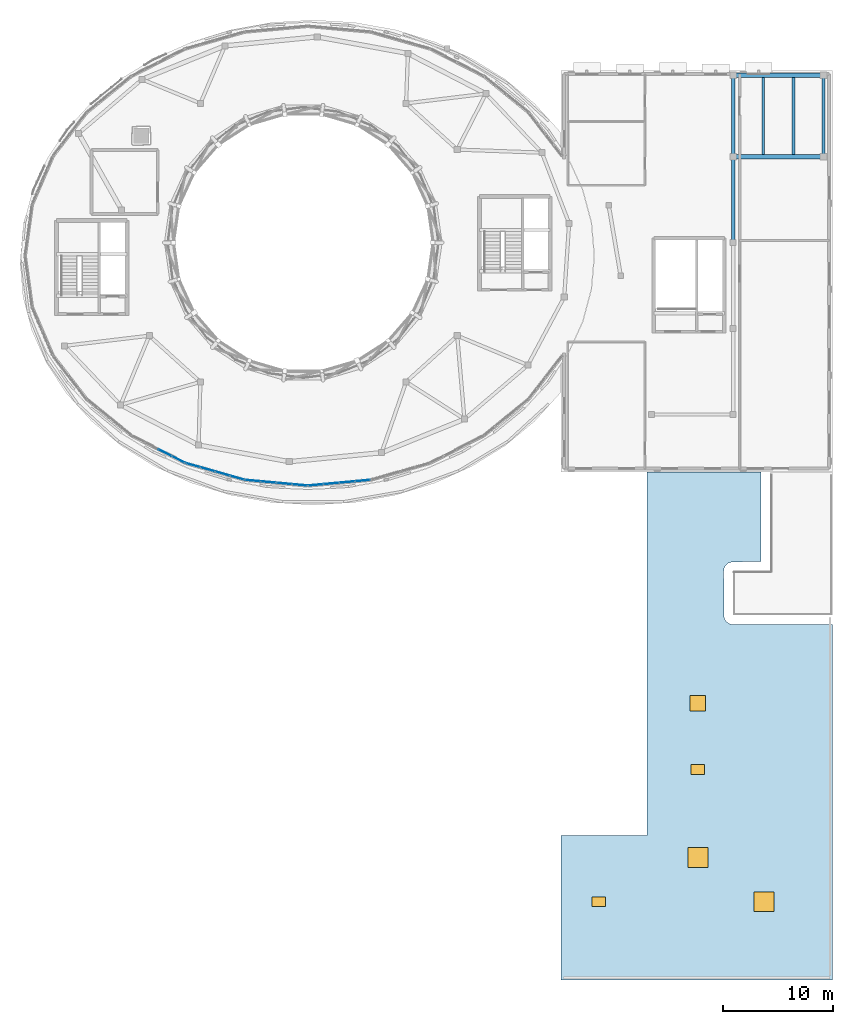
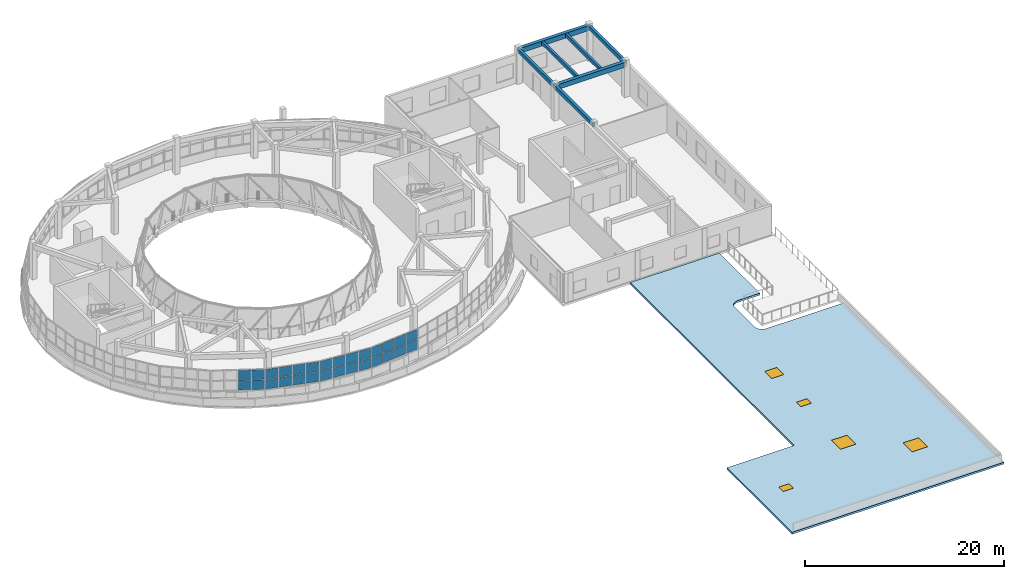
# One storey, part 28 of 46: 28 plates, 7 beams, 3 windows, 2 doors, 1 slab, 5 openings, 4 elements without a shape of their own.
"""IFC4 building model written with IfcOpenShell, lengths in metres."""

from ifc_helpers import new_model, si_unit, direction, frame, origin, origin_2d, place, context, subcontext, project, spatial, polyline, rectangle, outline, extrude, material, layer, layer_set, material_profile, profile_set, type_object, element, fill, aggregate, save


model = new_model("IFC4")

# Units and contexts
model_context = context("Model", 3, precision=1e-05, world=origin(), true_north=direction((0.0, 1.0)))
body_context = subcontext(model_context, "Body", "Model", "MODEL_VIEW")
ifc_project = project(units=[si_unit("LENGTHUNIT", "METRE"), si_unit("AREAUNIT", "SQUARE_METRE"), si_unit("VOLUMEUNIT", "CUBIC_METRE"), si_unit("PLANEANGLEUNIT", "RADIAN"), si_unit("MASSUNIT", "GRAM", prefix="KILO")], contexts=[model_context])

# Site, building, storey
site_placement = place(None, origin())
site = spatial("IfcSite", under=ifc_project, at=site_placement, CompositionType="ELEMENT")
building_placement = place(site_placement, origin())
building = spatial("IfcBuilding", under=site, at=building_placement, Name="Pelvatis Terrace Science Centre", CompositionType="ELEMENT")
storey_placement = place(building_placement, frame((0.0, 0.0, 19.800048828125)))
storey = spatial("IfcBuildingStorey", under=building, at=storey_placement, Name="L04", CompositionType="ELEMENT", Elevation=19.800048828125)

# Beams
ifc_material_1 = material(Name="Concrete C35/45", Category="concrete")
ifc_material_profile_1 = material_profile(ifc_material_1, rectangle(XDim=0.300048828125, YDim=0.449951171875, at=origin_2d()), Name="RC-BM 300x450")
ifc_profile_set_1 = profile_set([ifc_material_profile_1], Name="Concrete C35/45")
beam_type_1 = type_object("IfcBeamType", Name="BM-RC-300x450", PredefinedType="BEAM", material=ifc_profile_set_1)
beam_placement = place(storey_placement, frame((148.199951171875, 85.800048828125, 4.02490234375), z_axis=(0.0, 1.0, 0.0), x_axis=(-1.0, 0.0, 0.0)))
element("IfcBeam", 1, at=beam_placement, inside=storey, type_object=beam_type_1, Name="Beam BM-L04-3111", PredefinedType="BEAM", context=body_context, shape_type="SweptSolid", body=[
    extrude(rectangle(XDim=0.300048828125, YDim=0.449951171875, at=origin_2d()), origin(), (0.0, 0.0, 1.0), 7.800048828125),
])
for number, where, z_axis, x_axis, name in (
    (2, (148.199951171875, 93.60009765625, 4.02490234375), (0.0, 1.0, 0.0), (-1.0, 0.0, 0.0), "Beam BM-L04-3112"),
    (3, (156.39990234375, 93.60009765625, 4.02490234375), (0.0, 1.0, 0.0), (-1.0, 0.0, 0.0), "Beam BM-L04-3115"),
):
    element("IfcBeam", number, at=place(storey_placement, frame(where, z_axis=z_axis, x_axis=x_axis)), inside=storey, type_object=beam_type_1, Name=name, PredefinedType="BEAM", context=body_context, shape_type="SweptSolid", body=[
        extrude(rectangle(XDim=0.300048828125, YDim=0.449951171875, at=origin_2d()), origin(), (0.0, 0.0, 1.0), 7.39990234375),
    ])
ifc_material_2 = material(Name="Concrete C35/45", Category="concrete")
ifc_material_profile_2 = material_profile(ifc_material_2, rectangle(XDim=0.39990234375, YDim=0.60009765625, at=origin_2d()), Name="RC-BM 400x600")
ifc_profile_set_2 = profile_set([ifc_material_profile_2], Name="Concrete C35/45")
beam_type_2 = type_object("IfcBeamType", Name="BM-RC-400x600", PredefinedType="BEAM", material=ifc_profile_set_2)
for number, where, z_axis, x_axis, name in (
    (4, (148.199951171875, 93.60009765625, 3.949951171875), (1.0, 0.0, 0.0), (0.0, 1.0, 0.0), "Beam BM-L04-3113"),
    (5, (148.199951171875, 101.0, 3.949951171875), (1.0, 0.0, 0.0), (0.0, 1.0, 0.0), "Beam BM-L04-3114"),
):
    element("IfcBeam", number, at=place(storey_placement, frame(where, z_axis=z_axis, x_axis=x_axis)), inside=storey, type_object=beam_type_2, Name=name, PredefinedType="BEAM", context=body_context, shape_type="SweptSolid", body=[
        extrude(rectangle(XDim=0.39990234375, YDim=0.60009765625, at=origin_2d()), origin(), (0.0, 0.0, 1.0), 8.199951171875),
    ])
ifc_material_3 = material(Name="Concrete C35/45", Category="concrete")
ifc_material_profile_3 = material_profile(ifc_material_3, rectangle(XDim=0.260009765625, YDim=0.419921875, at=origin_2d()), Name="RC-JST 260x420")
ifc_profile_set_3 = profile_set([ifc_material_profile_3], Name="Concrete C35/45")
beam_type_3 = type_object("IfcBeamType", Name="JST-RC-260x420", PredefinedType="JOIST", material=ifc_profile_set_3)
for number, where, z_axis, x_axis, name in (
    (6, (150.933349609375, 93.800048828125, 4.0400390625), (0.0, 1.0, 0.0), (-1.0, 0.0, 0.0), "Secondary floor joist J-L04-2203"),
    (7, (153.666748046875, 93.800048828125, 4.0400390625), (0.0, 1.0, 0.0), (-1.0, 0.0, 0.0), "Secondary floor joist J-L04-2204"),
):
    element("IfcBeam", number, at=place(storey_placement, frame(where, z_axis=z_axis, x_axis=x_axis)), inside=storey, type_object=beam_type_3, Name=name, PredefinedType="JOIST", context=body_context, shape_type="SweptSolid", body=[
        extrude(rectangle(XDim=0.260009765625, YDim=0.419921875, at=origin_2d()), origin(), (0.0, 0.0, 1.0), 7.0),
    ])

# Curtain wall, plates
ifc_material_4 = material(Name="Bronze-anodised aluminium and laminated glass", Category="aluminium")
ifc_layer_1 = layer(ifc_material_4, 0.14990234375)
ifc_layer_set_1 = layer_set([ifc_layer_1], Name="Bronze-anodised aluminium and laminated glass")
curtain_wall_type = type_object("IfcCurtainWallType", Name="CW-PASSAGE-C", PredefinedType="NOTDEFINED", material=ifc_layer_set_1)
curtain_wall_1_placement = place(storey_placement, origin())
curtain_wall_1 = element("IfcCurtainWall", 8, at=curtain_wall_1_placement, inside=storey, type_object=curtain_wall_type, Name="Ribbon curtain wall CW-229 (L04)", PredefinedType="NOTDEFINED")
ifc_material_5 = material(Name="Low-e laminated solar-control double glazing", Category="glass")
ifc_layer_2 = layer(ifc_material_5, 0.0400390625)
ifc_layer_set_2 = layer_set([ifc_layer_2], Name="Low-e laminated solar-control double glazing")
plate_type = type_object("IfcPlateType", Name="CWP-SPN-40", PredefinedType="CURTAIN_PANEL", material=ifc_layer_set_2)
plate_1_placement = place(storey_placement, frame((96.647216796875, 66.746337890625, 1.074951171875), z_axis=(0.0, 0.0, 1.0), x_axis=(0.890563601587, -0.454858737992, 0.0)))
plate_1 = element("IfcPlate", 9, at=plate_1_placement, type_object=plate_type, Name="CW-229 panel 3.1", PredefinedType="CURTAIN_PANEL", context=body_context, shape_type="SweptSolid", body=[
    extrude(rectangle(XDim=1.310302734375, YDim=0.0400390625, at=origin_2d()), origin(), (0.0, 0.0, 1.0), 1.1923828125),
])
plate_2_placement = place(storey_placement, frame((96.647216796875, 66.746337890625, 2.322509765625), z_axis=(0.0, 0.0, 1.0), x_axis=(0.890563601587, -0.454858737992, 0.0)))
plate_2 = element("IfcPlate", 10, at=plate_2_placement, type_object=plate_type, Name="CW-229 panel 3.2", PredefinedType="CURTAIN_PANEL", context=body_context, shape_type="SweptSolid", body=[
    extrude(rectangle(XDim=1.310302734375, YDim=0.0400390625, at=origin_2d()), origin(), (0.0, 0.0, 1.0), 1.1923828125),
])
plate_3_placement = place(storey_placement, frame((97.850830078125, 66.131591796875, 1.074951171875), z_axis=(0.0, 0.0, 1.0), x_axis=(0.890563601587, -0.454858737992, 0.0)))
plate_3 = element("IfcPlate", 11, at=plate_3_placement, type_object=plate_type, Name="CW-229 panel 4.1", PredefinedType="CURTAIN_PANEL", context=body_context, shape_type="SweptSolid", body=[
    extrude(rectangle(XDim=1.28271484375, YDim=0.0400390625, at=origin_2d()), origin(), (0.0, 0.0, 1.0), 1.1923828125),
])
plate_4_placement = place(storey_placement, frame((97.850830078125, 66.131591796875, 2.322509765625), z_axis=(0.0, 0.0, 1.0), x_axis=(0.890563601587, -0.454858737992, 0.0)))
plate_4 = element("IfcPlate", 12, at=plate_4_placement, type_object=plate_type, Name="CW-229 panel 4.2", PredefinedType="CURTAIN_PANEL", context=body_context, shape_type="SweptSolid", body=[
    extrude(rectangle(XDim=1.28271484375, YDim=0.0400390625, at=origin_2d()), origin(), (0.0, 0.0, 1.0), 1.1923828125),
])
aggregate(curtain_wall_1, [plate_1, plate_2, plate_3, plate_4])

curtain_wall_2_placement = place(storey_placement, origin())
curtain_wall_2 = element("IfcCurtainWall", 13, at=curtain_wall_2_placement, inside=storey, type_object=curtain_wall_type, Name="Ribbon curtain wall CW-230 (L04)", PredefinedType="NOTDEFINED")
plate_5_placement = place(storey_placement, frame((99.161865234375, 65.618408203125, 1.074951171875), z_axis=(0.0, 0.0, 1.0), x_axis=(0.96184998325, -0.273577429116, 0.0)))
plate_5 = element("IfcPlate", 14, at=plate_5_placement, type_object=plate_type, Name="CW-230 panel 1.1", PredefinedType="CURTAIN_PANEL", context=body_context, shape_type="SweptSolid", body=[
    extrude(rectangle(XDim=1.32666015625, YDim=0.0400390625, at=origin_2d()), origin(), (0.0, 0.0, 1.0), 1.1923828125),
])
plate_6_placement = place(storey_placement, frame((99.161865234375, 65.618408203125, 2.322509765625), z_axis=(0.0, 0.0, 1.0), x_axis=(0.96184998325, -0.273577429116, 0.0)))
plate_6 = element("IfcPlate", 15, at=plate_6_placement, type_object=plate_type, Name="CW-230 panel 1.2", PredefinedType="CURTAIN_PANEL", context=body_context, shape_type="SweptSolid", body=[
    extrude(rectangle(XDim=1.32666015625, YDim=0.0400390625, at=origin_2d()), origin(), (0.0, 0.0, 1.0), 1.1923828125),
])
plate_7_placement = place(storey_placement, frame((100.50390625, 65.236572265625, 1.074951171875), z_axis=(0.0, 0.0, 1.0), x_axis=(0.96184998325, -0.273577429116, 0.0)))
plate_7 = element("IfcPlate", 16, at=plate_7_placement, type_object=plate_type, Name="CW-230 panel 2.1", PredefinedType="CURTAIN_PANEL", context=body_context, shape_type="SweptSolid", body=[
    extrude(rectangle(XDim=1.35400390625, YDim=0.0400390625, at=origin_2d()), origin(), (0.0, 0.0, 1.0), 1.1923828125),
])
plate_8_placement = place(storey_placement, frame((100.50390625, 65.236572265625, 2.322509765625), z_axis=(0.0, 0.0, 1.0), x_axis=(0.96184998325, -0.273577429116, 0.0)))
plate_8 = element("IfcPlate", 17, at=plate_8_placement, type_object=plate_type, Name="CW-230 panel 2.2", PredefinedType="CURTAIN_PANEL", context=body_context, shape_type="SweptSolid", body=[
    extrude(rectangle(XDim=1.35400390625, YDim=0.0400390625, at=origin_2d()), origin(), (0.0, 0.0, 1.0), 1.1923828125),
])
plate_9_placement = place(storey_placement, frame((101.859375, 64.85107421875, 1.074951171875), z_axis=(0.0, 0.0, 1.0), x_axis=(0.96184998325, -0.273577429116, 0.0)))
plate_9 = element("IfcPlate", 18, at=plate_9_placement, type_object=plate_type, Name="CW-230 panel 3.1", PredefinedType="CURTAIN_PANEL", context=body_context, shape_type="SweptSolid", body=[
    extrude(rectangle(XDim=1.35400390625, YDim=0.0400390625, at=origin_2d()), origin(), (0.0, 0.0, 1.0), 1.1923828125),
])
plate_10_placement = place(storey_placement, frame((101.859375, 64.85107421875, 2.322509765625), z_axis=(0.0, 0.0, 1.0), x_axis=(0.96184998325, -0.273577429116, 0.0)))
plate_10 = element("IfcPlate", 19, at=plate_10_placement, type_object=plate_type, Name="CW-230 panel 3.2", PredefinedType="CURTAIN_PANEL", context=body_context, shape_type="SweptSolid", body=[
    extrude(rectangle(XDim=1.35400390625, YDim=0.0400390625, at=origin_2d()), origin(), (0.0, 0.0, 1.0), 1.1923828125),
])
plate_11_placement = place(storey_placement, frame((103.201416015625, 64.46923828125, 1.074951171875), z_axis=(0.0, 0.0, 1.0), x_axis=(0.96184998325, -0.273577429116, 0.0)))
plate_11 = element("IfcPlate", 20, at=plate_11_placement, type_object=plate_type, Name="CW-230 panel 4.1", PredefinedType="CURTAIN_PANEL", context=body_context, shape_type="SweptSolid", body=[
    extrude(rectangle(XDim=1.32666015625, YDim=0.0400390625, at=origin_2d()), origin(), (0.0, 0.0, 1.0), 1.1923828125),
])
plate_12_placement = place(storey_placement, frame((103.201416015625, 64.46923828125, 2.322509765625), z_axis=(0.0, 0.0, 1.0), x_axis=(0.96184998325, -0.273577429116, 0.0)))
plate_12 = element("IfcPlate", 21, at=plate_12_placement, type_object=plate_type, Name="CW-230 panel 4.2", PredefinedType="CURTAIN_PANEL", context=body_context, shape_type="SweptSolid", body=[
    extrude(rectangle(XDim=1.32666015625, YDim=0.0400390625, at=origin_2d()), origin(), (0.0, 0.0, 1.0), 1.1923828125),
])
aggregate(curtain_wall_2, [plate_5, plate_6, plate_7, plate_8, plate_9, plate_10, plate_11, plate_12])

curtain_wall_3_placement = place(storey_placement, origin())
curtain_wall_3 = element("IfcCurtainWall", 22, at=curtain_wall_3_placement, inside=storey, type_object=curtain_wall_type, Name="Ribbon curtain wall CW-231 (L04)", PredefinedType="NOTDEFINED")
plate_13_placement = place(storey_placement, frame((104.619384765625, 64.206298828125, 1.074951171875), z_axis=(0.0, 0.0, 1.0), x_axis=(0.995831338588, -0.09121373299, 0.0)))
plate_13 = element("IfcPlate", 23, at=plate_13_placement, type_object=plate_type, Name="CW-231 panel 1.1", PredefinedType="CURTAIN_PANEL", context=body_context, shape_type="SweptSolid", body=[
    extrude(rectangle(XDim=1.350341796875, YDim=0.0400390625, at=origin_2d()), origin(), (0.0, 0.0, 1.0), 1.1923828125),
])
plate_14_placement = place(storey_placement, frame((104.619384765625, 64.206298828125, 2.322509765625), z_axis=(0.0, 0.0, 1.0), x_axis=(0.995831338588, -0.09121373299, 0.0)))
plate_14 = element("IfcPlate", 24, at=plate_14_placement, type_object=plate_type, Name="CW-231 panel 1.2", PredefinedType="CURTAIN_PANEL", context=body_context, shape_type="SweptSolid", body=[
    extrude(rectangle(XDim=1.350341796875, YDim=0.0400390625, at=origin_2d()), origin(), (0.0, 0.0, 1.0), 1.1923828125),
])
plate_15_placement = place(storey_placement, frame((106.03271484375, 64.07666015625, 1.074951171875), z_axis=(0.0, 0.0, 1.0), x_axis=(0.995831338588, -0.09121373299, 0.0)))
plate_15 = element("IfcPlate", 25, at=plate_15_placement, type_object=plate_type, Name="CW-231 panel 2.1", PredefinedType="CURTAIN_PANEL", context=body_context, shape_type="SweptSolid", body=[
    extrude(rectangle(XDim=1.3779296875, YDim=0.0400390625, at=origin_2d()), origin(), (0.0, 0.0, 1.0), 1.1923828125),
])
plate_16_placement = place(storey_placement, frame((106.03271484375, 64.07666015625, 2.322509765625), z_axis=(0.0, 0.0, 1.0), x_axis=(0.995831338588, -0.09121373299, 0.0)))
plate_16 = element("IfcPlate", 26, at=plate_16_placement, type_object=plate_type, Name="CW-231 panel 2.2", PredefinedType="CURTAIN_PANEL", context=body_context, shape_type="SweptSolid", body=[
    extrude(rectangle(XDim=1.3779296875, YDim=0.0400390625, at=origin_2d()), origin(), (0.0, 0.0, 1.0), 1.1923828125),
])
plate_17_placement = place(storey_placement, frame((107.459716796875, 63.946044921875, 1.074951171875), z_axis=(0.0, 0.0, 1.0), x_axis=(0.995831338588, -0.09121373299, 0.0)))
plate_17 = element("IfcPlate", 27, at=plate_17_placement, type_object=plate_type, Name="CW-231 panel 3.1", PredefinedType="CURTAIN_PANEL", context=body_context, shape_type="SweptSolid", body=[
    extrude(rectangle(XDim=1.3779296875, YDim=0.0400390625, at=origin_2d()), origin(), (0.0, 0.0, 1.0), 1.1923828125),
])
plate_18_placement = place(storey_placement, frame((107.459716796875, 63.946044921875, 2.322509765625), z_axis=(0.0, 0.0, 1.0), x_axis=(0.995831338588, -0.09121373299, 0.0)))
plate_18 = element("IfcPlate", 28, at=plate_18_placement, type_object=plate_type, Name="CW-231 panel 3.2", PredefinedType="CURTAIN_PANEL", context=body_context, shape_type="SweptSolid", body=[
    extrude(rectangle(XDim=1.3779296875, YDim=0.0400390625, at=origin_2d()), origin(), (0.0, 0.0, 1.0), 1.1923828125),
])
plate_19_placement = place(storey_placement, frame((108.872802734375, 63.816650390625, 1.074951171875), z_axis=(0.0, 0.0, 1.0), x_axis=(0.995831338588, -0.09121373299, 0.0)))
plate_19 = element("IfcPlate", 29, at=plate_19_placement, type_object=plate_type, Name="CW-231 panel 4.1", PredefinedType="CURTAIN_PANEL", context=body_context, shape_type="SweptSolid", body=[
    extrude(rectangle(XDim=1.350341796875, YDim=0.0400390625, at=origin_2d()), origin(), (0.0, 0.0, 1.0), 1.1923828125),
])
plate_20_placement = place(storey_placement, frame((108.872802734375, 63.816650390625, 2.322509765625), z_axis=(0.0, 0.0, 1.0), x_axis=(0.995831338588, -0.09121373299, 0.0)))
plate_20 = element("IfcPlate", 30, at=plate_20_placement, type_object=plate_type, Name="CW-231 panel 4.2", PredefinedType="CURTAIN_PANEL", context=body_context, shape_type="SweptSolid", body=[
    extrude(rectangle(XDim=1.350341796875, YDim=0.0400390625, at=origin_2d()), origin(), (0.0, 0.0, 1.0), 1.1923828125),
])
aggregate(curtain_wall_3, [plate_13, plate_14, plate_15, plate_16, plate_17, plate_18, plate_19, plate_20])

curtain_wall_4_placement = place(storey_placement, origin())
curtain_wall_4 = element("IfcCurtainWall", 31, at=curtain_wall_4_placement, inside=storey, type_object=curtain_wall_type, Name="Ribbon curtain wall CW-232 (L04)", PredefinedType="NOTDEFINED")
plate_21_placement = place(storey_placement, frame((110.3271484375, 63.816650390625, 1.074951171875), z_axis=(0.0, 0.0, 1.0), x_axis=(0.995831338588, 0.09121373299, 0.0)))
plate_21 = element("IfcPlate", 32, at=plate_21_placement, type_object=plate_type, Name="CW-232 panel 1.1", PredefinedType="CURTAIN_PANEL", context=body_context, shape_type="SweptSolid", body=[
    extrude(rectangle(XDim=1.350341796875, YDim=0.0400390625, at=origin_2d()), origin(), (0.0, 0.0, 1.0), 1.1923828125),
])
plate_22_placement = place(storey_placement, frame((110.3271484375, 63.816650390625, 2.322509765625), z_axis=(0.0, 0.0, 1.0), x_axis=(0.995831338588, 0.09121373299, 0.0)))
plate_22 = element("IfcPlate", 33, at=plate_22_placement, type_object=plate_type, Name="CW-232 panel 1.2", PredefinedType="CURTAIN_PANEL", context=body_context, shape_type="SweptSolid", body=[
    extrude(rectangle(XDim=1.350341796875, YDim=0.0400390625, at=origin_2d()), origin(), (0.0, 0.0, 1.0), 1.1923828125),
])
plate_23_placement = place(storey_placement, frame((111.740478515625, 63.946044921875, 1.074951171875), z_axis=(0.0, 0.0, 1.0), x_axis=(0.995831338588, 0.09121373299, 0.0)))
plate_23 = element("IfcPlate", 34, at=plate_23_placement, type_object=plate_type, Name="CW-232 panel 2.1", PredefinedType="CURTAIN_PANEL", context=body_context, shape_type="SweptSolid", body=[
    extrude(rectangle(XDim=1.3779296875, YDim=0.0400390625, at=origin_2d()), origin(), (0.0, 0.0, 1.0), 1.1923828125),
])
plate_24_placement = place(storey_placement, frame((111.740478515625, 63.946044921875, 2.322509765625), z_axis=(0.0, 0.0, 1.0), x_axis=(0.995831338588, 0.09121373299, 0.0)))
plate_24 = element("IfcPlate", 35, at=plate_24_placement, type_object=plate_type, Name="CW-232 panel 2.2", PredefinedType="CURTAIN_PANEL", context=body_context, shape_type="SweptSolid", body=[
    extrude(rectangle(XDim=1.3779296875, YDim=0.0400390625, at=origin_2d()), origin(), (0.0, 0.0, 1.0), 1.1923828125),
])
plate_25_placement = place(storey_placement, frame((113.167236328125, 64.07666015625, 1.074951171875), z_axis=(0.0, 0.0, 1.0), x_axis=(0.995831338588, 0.09121373299, 0.0)))
plate_25 = element("IfcPlate", 36, at=plate_25_placement, type_object=plate_type, Name="CW-232 panel 3.1", PredefinedType="CURTAIN_PANEL", context=body_context, shape_type="SweptSolid", body=[
    extrude(rectangle(XDim=1.3779296875, YDim=0.0400390625, at=origin_2d()), origin(), (0.0, 0.0, 1.0), 1.1923828125),
])
plate_26_placement = place(storey_placement, frame((113.167236328125, 64.07666015625, 2.322509765625), z_axis=(0.0, 0.0, 1.0), x_axis=(0.995831338588, 0.09121373299, 0.0)))
plate_26 = element("IfcPlate", 37, at=plate_26_placement, type_object=plate_type, Name="CW-232 panel 3.2", PredefinedType="CURTAIN_PANEL", context=body_context, shape_type="SweptSolid", body=[
    extrude(rectangle(XDim=1.3779296875, YDim=0.0400390625, at=origin_2d()), origin(), (0.0, 0.0, 1.0), 1.1923828125),
])
plate_27_placement = place(storey_placement, frame((114.58056640625, 64.206298828125, 1.074951171875), z_axis=(0.0, 0.0, 1.0), x_axis=(0.995831338588, 0.09121373299, 0.0)))
plate_27 = element("IfcPlate", 38, at=plate_27_placement, type_object=plate_type, Name="CW-232 panel 4.1", PredefinedType="CURTAIN_PANEL", context=body_context, shape_type="SweptSolid", body=[
    extrude(rectangle(XDim=1.350341796875, YDim=0.0400390625, at=origin_2d()), origin(), (0.0, 0.0, 1.0), 1.1923828125),
])
plate_28_placement = place(storey_placement, frame((114.58056640625, 64.206298828125, 2.322509765625), z_axis=(0.0, 0.0, 1.0), x_axis=(0.995831338588, 0.09121373299, 0.0)))
plate_28 = element("IfcPlate", 39, at=plate_28_placement, type_object=plate_type, Name="CW-232 panel 4.2", PredefinedType="CURTAIN_PANEL", context=body_context, shape_type="SweptSolid", body=[
    extrude(rectangle(XDim=1.350341796875, YDim=0.0400390625, at=origin_2d()), origin(), (0.0, 0.0, 1.0), 1.1923828125),
])
aggregate(curtain_wall_4, [plate_21, plate_22, plate_23, plate_24, plate_25, plate_26, plate_27, plate_28])

# Slab, openings, windows, doors
ifc_material_6 = material(Name="Concrete C35/45", Category="concrete")
ifc_layer_3 = layer(ifc_material_6, 0.236083984375)
ifc_layer_set_3 = layer_set([ifc_layer_3], Name="Concrete C35/45")
slab_type = type_object("IfcSlabType", Name="SLB-ROOF-236", PredefinedType="ROOF", material=ifc_layer_set_3)
slab_placement = place(storey_placement, frame((0.0, 0.0, -0.236083984375)))
slab = element("IfcSlab", 40, at=slab_placement, inside=storey, type_object=slab_type, Name="L04 South-East wing stepped roof slab", PredefinedType="ROOF", context=body_context, shape_type="SweptSolid", body=[
    extrude(outline(polyline([(132.60009765625, 32.0), (140.39990234375, 32.0), (140.39990234375, 64.97998046875), (150.75, 64.97998046875), (150.75, 56.85009765625), (148.11669921875, 56.845947265625), (147.727783203125, 56.706787109375), (147.493408203125, 56.47216796875), (147.38671875, 56.24658203125), (147.35009765625, 56.0), (147.35400390625, 51.916748046875), (147.450439453125, 51.599365234375), (147.59912109375, 51.39892578125), (147.874755859375, 51.214599609375), (148.11669921875, 51.154052734375), (157.199951171875, 51.14990234375), (157.199951171875, 18.89990234375), (132.60009765625, 18.89990234375), (132.60009765625, 32.0)])), origin(), (0.0, 0.0, 1.0), 0.236083984375),
])
opening_1_placement = place(slab_placement, frame((145.0, 30.0, 0.0)))
opening_1 = element("IfcOpeningElement", 41, at=opening_1_placement, cuts=slab, Name="Opening SKY-07", PredefinedType="OPENING", context=body_context, shape_type="SweptSolid", body=[
    extrude(rectangle(XDim=1.800048828125, YDim=1.800048828125, at=origin_2d()), origin(), (0.0, 0.0, 1.0), 0.236083984375),
])
opening_2_placement = place(slab_placement, frame((151.0, 26.0, 0.0)))
opening_2 = element("IfcOpeningElement", 42, at=opening_2_placement, cuts=slab, Name="Opening SKY-08", PredefinedType="OPENING", context=body_context, shape_type="SweptSolid", body=[
    extrude(rectangle(XDim=1.800048828125, YDim=1.800048828125, at=origin_2d()), origin(), (0.0, 0.0, 1.0), 0.236083984375),
])
opening_3_placement = place(slab_placement, frame((145.0, 44.0, 0.0)))
opening_3 = element("IfcOpeningElement", 43, at=opening_3_placement, cuts=slab, Name="Opening LDM-07", PredefinedType="OPENING", context=body_context, shape_type="SweptSolid", body=[
    extrude(rectangle(XDim=1.39990234375, YDim=1.39990234375, at=origin_2d()), origin(), (0.0, 0.0, 1.0), 0.236083984375),
])
opening_4_placement = place(slab_placement, frame((136.0, 26.0, 0.0)))
opening_4 = element("IfcOpeningElement", 44, at=opening_4_placement, cuts=slab, Name="Opening TD-03", PredefinedType="OPENING", context=body_context, shape_type="SweptSolid", body=[
    extrude(rectangle(XDim=1.199951171875, YDim=0.89990234375, at=origin_2d()), origin(), (0.0, 0.0, 1.0), 0.236083984375),
])
opening_5_placement = place(slab_placement, frame((145.0, 38.0, 0.0)))
opening_5 = element("IfcOpeningElement", 45, at=opening_5_placement, cuts=slab, Name="Opening TD-04", PredefinedType="OPENING", context=body_context, shape_type="SweptSolid", body=[
    extrude(rectangle(XDim=1.199951171875, YDim=0.89990234375, at=origin_2d()), origin(), (0.0, 0.0, 1.0), 0.236083984375),
])
ifc_material_7 = material(Name="Bronze-anodised aluminium and laminated low-e glass", Category="aluminium")
window_type_1 = type_object("IfcWindowType", Name="LDM-OCU-1400x1400", PartitioningType="SINGLE_PANEL", PredefinedType="LIGHTDOME", material=ifc_material_7)
window_1_placement = place(opening_3_placement, frame((0.0, 0.0, 0.18603515625)))
window_1 = element("IfcWindow", 46, at=window_1_placement, inside=storey, type_object=window_type_1, Name="Roof lightdome LDM-07", OverallHeight=1.39990234375, OverallWidth=1.39990234375, PartitioningType="SINGLE_PANEL", PredefinedType="LIGHTDOME", context=body_context, shape_type="SweptSolid", body=[
    extrude(rectangle(XDim=1.39990234375, YDim=1.39990234375, at=origin_2d()), origin(), (0.0, 0.0, 1.0), 0.050048828125),
])
fill(opening_3, window_1)
ifc_material_8 = material(Name="Bronze-anodised aluminium and laminated low-e glass", Category="aluminium")
window_type_2 = type_object("IfcWindowType", Name="SKY-MOD-1800x1800", PartitioningType="SINGLE_PANEL", PredefinedType="SKYLIGHT", material=ifc_material_8)
window_2_placement = place(opening_1_placement, frame((0.0, 0.0, 0.18603515625)))
window_2 = element("IfcWindow", 47, at=window_2_placement, inside=storey, type_object=window_type_2, Name="Roof skylight SKY-07", OverallHeight=1.800048828125, OverallWidth=1.800048828125, PartitioningType="SINGLE_PANEL", PredefinedType="SKYLIGHT", context=body_context, shape_type="SweptSolid", body=[
    extrude(rectangle(XDim=1.800048828125, YDim=1.800048828125, at=origin_2d()), origin(), (0.0, 0.0, 1.0), 0.050048828125),
])
fill(opening_1, window_2)
window_3_placement = place(opening_2_placement, frame((0.0, 0.0, 0.18603515625)))
window_3 = element("IfcWindow", 48, at=window_3_placement, inside=storey, type_object=window_type_2, Name="Roof skylight SKY-08", OverallHeight=1.800048828125, OverallWidth=1.800048828125, PartitioningType="SINGLE_PANEL", PredefinedType="SKYLIGHT", context=body_context, shape_type="SweptSolid", body=[
    extrude(rectangle(XDim=1.800048828125, YDim=1.800048828125, at=origin_2d()), origin(), (0.0, 0.0, 1.0), 0.050048828125),
])
fill(opening_2, window_3)
ifc_material_9 = material(Name="Insulated aluminium smoke-vent roof hatch", Category="aluminium")
door_type = type_object("IfcDoorType", Name="TD-ROOF-1200x900", OperationType="NOTDEFINED", PredefinedType="TRAPDOOR", material=ifc_material_9)
door_1_placement = place(opening_4_placement, frame((0.0, 0.0, 0.18603515625)))
door_1 = element("IfcDoor", 49, at=door_1_placement, inside=storey, type_object=door_type, Name="Roof maintenance access hatch TD-03", OperationType="SINGLE_SWING_LEFT", OverallHeight=0.89990234375, OverallWidth=1.199951171875, PredefinedType="TRAPDOOR", context=body_context, shape_type="SweptSolid", body=[
    extrude(rectangle(XDim=1.199951171875, YDim=0.89990234375, at=origin_2d()), origin(), (0.0, 0.0, 1.0), 0.050048828125),
])
fill(opening_4, door_1)
door_2_placement = place(opening_5_placement, frame((0.0, 0.0, 0.18603515625)))
door_2 = element("IfcDoor", 50, at=door_2_placement, inside=storey, type_object=door_type, Name="Roof maintenance access hatch TD-04", OperationType="SINGLE_SWING_LEFT", OverallHeight=0.89990234375, OverallWidth=1.199951171875, PredefinedType="TRAPDOOR", context=body_context, shape_type="SweptSolid", body=[
    extrude(rectangle(XDim=1.199951171875, YDim=0.89990234375, at=origin_2d()), origin(), (0.0, 0.0, 1.0), 0.050048828125),
])
fill(opening_5, door_2)

save(model, "model.ifc")
